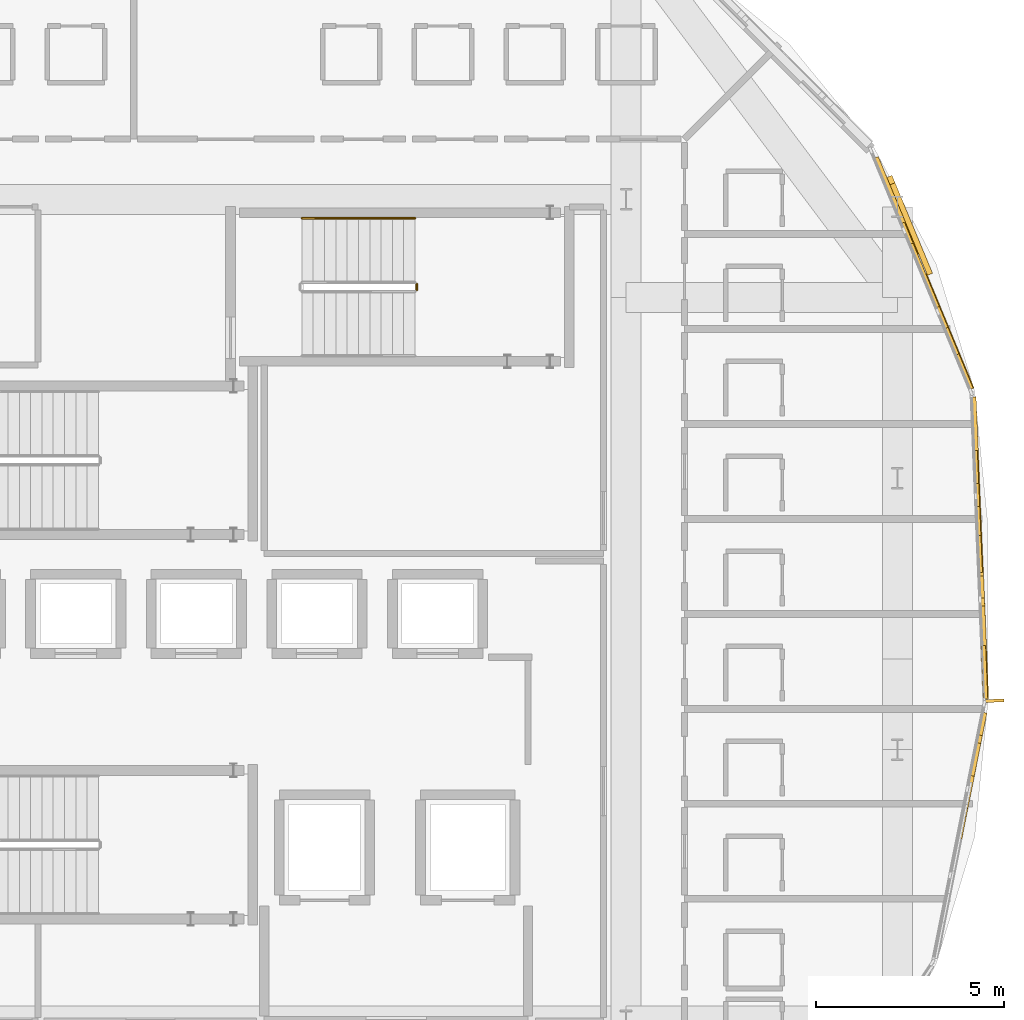
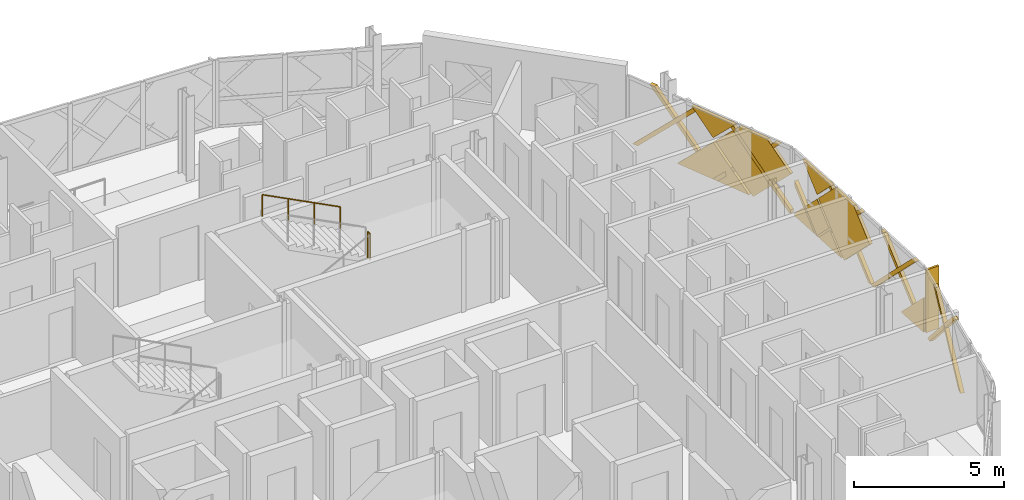
# One storey, part 44 of 53: 18 coverings, 2 railings, 1 shading device.
"""IFC4 building model written with IfcOpenShell, lengths in metres."""

from ifc_helpers import new_model, si_unit, direction, frame, origin, origin_2d, place, context, subcontext, project, spatial, polyline, rectangle, circle, outline, extrude, material, layer, layer_set, type_object, element, save


model = new_model("IFC4")

# Units and contexts
model_context = context("Model", 3, precision=1e-05, world=origin(), true_north=direction((0.0, 1.0)))
body_context = subcontext(model_context, "Body", "Model", "MODEL_VIEW")
ifc_project = project(units=[si_unit("LENGTHUNIT", "METRE"), si_unit("AREAUNIT", "SQUARE_METRE"), si_unit("VOLUMEUNIT", "CUBIC_METRE"), si_unit("PLANEANGLEUNIT", "RADIAN"), si_unit("MASSUNIT", "GRAM", prefix="KILO")], contexts=[model_context])

# Site, building, storey
site_placement = place(None, origin())
site = spatial("IfcSite", under=ifc_project, at=site_placement, CompositionType="ELEMENT")
building_placement = place(site_placement, origin())
building = spatial("IfcBuilding", under=site, at=building_placement, Name="Zevrakil Square Congress Hotel", CompositionType="ELEMENT")
storey_placement = place(building_placement, frame((0.0, 0.0, 14.699951171875)))
storey = spatial("IfcBuildingStorey", under=building, at=storey_placement, Name="L04", CompositionType="ELEMENT", Elevation=14.699951171875)

# Coverings
ifc_material_1 = material(Name="Architectural White Fibre-C GRC", Category="concrete")
ifc_layer_1 = layer(ifc_material_1, 0.06494140625)
ifc_layer_set_1 = layer_set([ifc_layer_1], Name="Architectural White Fibre-C GRC")
covering_type_1 = type_object("IfcCoveringType", Name="COV-DIA-WHITE", PredefinedType="CLADDING", material=ifc_layer_set_1)
covering_1_placement = place(storey_placement, frame((165.54150390625, 26.7578125, 0.080078125), z_axis=(0.999121801192, 0.041896980747, 0.000519024312), x_axis=(0.04189698639, -0.999121935767, 0.0)))
element("IfcCovering", 1, at=covering_1_placement, inside=storey, type_object=covering_type_1, Name="L04 45-degree white GRC diamond facade cassette 2220", PredefinedType="CLADDING", context=body_context, shape_type="SweptSolid", body=[
    extrude(outline(polyline([(0.0, 0.0), (1.4101737700243122, 0.0), (1.4101430837549838, -1.409912299280497), (0.0, 0.0)])), origin(), (0.0, 0.0, -1.0), 0.1201171875),
])
covering_2_placement = place(storey_placement, frame((165.322021484375, 31.962890625, 1.590087890625), z_axis=(0.999117075458, 0.042007962167, 0.000632963028), x_axis=(-0.029256783641, 0.706497656899, -0.707110388416)))
element("IfcCovering", 2, at=covering_2_placement, inside=storey, type_object=covering_type_1, Name="L04 45-degree white GRC diamond facade cassette 2221", PredefinedType="CLADDING", context=body_context, shape_type="SweptSolid", body=[
    extrude(outline(polyline([(0.0, 0.0), (1.980095890163375, -1.1102230246251565e-16), (2.057774214871329, -0.07769200494172157), (8.159088780801405e-05, -2.135406291599973), (0.0, 0.0)])), origin(), (0.0, 0.0, -1.0), 0.1201171875),
])
covering_3_placement = place(storey_placement, frame((165.32568359375, 31.873046875, 1.679931640625), z_axis=(0.999120945919, 0.041916904976, 0.000555430414), x_axis=(0.030034135887, -0.706517157765, -0.707058311928)))
element("IfcCovering", 3, at=covering_3_placement, inside=storey, type_object=covering_type_1, Name="L04 45-degree white GRC diamond facade cassette 2222", PredefinedType="CLADDING", context=body_context, shape_type="SweptSolid", body=[
    extrude(outline(polyline([(0.0, 0.0), (2.2485327950407155, -2.220446049250313e-16), (2.2487824534527543, -2.2484748865761763), (0.8484401908031873, -2.2486314357989743), (-0.0001664483019272467, -1.4001408532788702), (0.0, 0.0)])), origin(), (0.0, 0.0, -1.0), 0.1201171875),
])
covering_4_placement = place(storey_placement, frame((165.32177734375, 31.962890625, 1.77001953125), z_axis=(0.999121292185, 0.0419069471, 0.000671779158), x_axis=(0.029154552715, -0.706422484544, 0.707189709616)))
element("IfcCovering", 4, at=covering_4_placement, inside=storey, type_object=covering_type_1, Name="L04 45-degree white GRC diamond facade cassette 2223", PredefinedType="CLADDING", context=body_context, shape_type="SweptSolid", body=[
    extrude(outline(polyline([(0.0, 0.0), (1.272850088364791, 1.1102230246251565e-16), (9.051794818881742e-05, -1.2730587322865334), (0.0, 0.0)])), origin(), (0.0, 0.0, -1.0), 0.1201171875),
])
covering_5_placement = place(storey_placement, frame((163.966064453125, 36.597900390625, 1.590087890625), z_axis=(0.923868790517, 0.382708685186, 0.00072124374), x_axis=(-0.270148633985, 0.65347845614, -0.70709661498)))
element("IfcCovering", 5, at=covering_5_placement, inside=storey, type_object=covering_type_1, Name="L04 45-degree white GRC diamond facade cassette 2229", PredefinedType="CLADDING", context=body_context, shape_type="SweptSolid", body=[
    extrude(outline(polyline([(0.0, 0.0), (2.1355069924456442, 0.0), (4.912377958765646e-05, -2.1353975770230837), (0.0, 0.0)])), origin(), (0.0, 0.0, -1.0), 0.1201171875),
])
covering_6_placement = place(storey_placement, frame((164.00048828125, 36.514892578125, 1.679931640625), z_axis=(0.923876135694, 0.382691116395, 0.000628751203), x_axis=(0.271020758992, -0.653124719391, -0.707089703727)))
element("IfcCovering", 6, at=covering_6_placement, inside=storey, type_object=covering_type_1, Name="L04 45-degree white GRC diamond facade cassette 2230", PredefinedType="CLADDING", context=body_context, shape_type="SweptSolid", body=[
    extrude(outline(polyline([(0.0, 0.0), (2.248432898497787, 0.0), (2.2485033870584017, -2.2345853308132004), (2.2345204119602924, -2.2485689758021716), (0.8345284485317663, -2.2486684322568964), (-3.6317744080971437e-06, -1.4141763461700438), (0.0, 0.0)])), origin(), (0.0, 0.0, -1.0), 0.1201171875),
])
covering_7_placement = place(storey_placement, frame((163.966064453125, 36.597900390625, 1.77001953125), z_axis=(0.923864564459, 0.382718978133, 0.000671054709), x_axis=(0.270176914849, -0.653433493498, 0.707127360705)))
element("IfcCovering", 7, at=covering_7_placement, inside=storey, type_object=covering_type_1, Name="L04 45-degree white GRC diamond facade cassette 2231", PredefinedType="CLADDING", context=body_context, shape_type="SweptSolid", body=[
    extrude(outline(polyline([(0.0, 0.0), (1.286772595629827, -1.1102230246251565e-16), (-9.537502120360308e-05, -1.2869434590675226), (0.0, 0.0)])), origin(), (0.0, 0.0, -1.0), 0.1201171875),
])
ifc_material_2 = material(Name="Anodised Champagne Aluminium", Category="aluminium")
ifc_layer_2 = layer(ifc_material_2, 0.0849609375)
ifc_layer_set_2 = layer_set([ifc_layer_2], Name="Anodised Champagne Aluminium")
covering_type_2 = type_object("IfcCoveringType", Name="COV-DIAGRID-45", PredefinedType="MOLDING", material=ifc_layer_set_2)
covering_8_placement = place(storey_placement, frame((164.95263671875, 21.828369140625, 0.080078125), z_axis=(0.980779218513, -0.195119809317, 0.000620116726), x_axis=(-0.19511984662, -0.980779407132, -3.50103e-07)))
element("IfcCovering", 8, at=covering_8_placement, inside=storey, type_object=covering_type_2, Name="L04 45-degree aluminium diagrid rib 2217", PredefinedType="MOLDING", context=body_context, shape_type="SweptSolid", body=[
    extrude(outline(polyline([(0.0, 0.0), (0.21206037816297216, 0.0), (-2.377911904169482, -2.5900875561145695), (-2.5900199190137583, -2.5900874076121214), (0.0, 0.0)])), origin(), (0.0, 0.0, -1.0), 0.14501953125),
])
covering_9_placement = place(storey_placement, frame((165.02880859375, 22.218994140625, 2.670166015625), z_axis=(0.980801096102, -0.195009719401, 0.000647474708), x_axis=(0.195009760556, 0.980801301634, -4.3814e-07)))
element("IfcCovering", 9, at=covering_9_placement, inside=storey, type_object=covering_type_2, Name="L04 45-degree aluminium diagrid rib 2219", PredefinedType="MOLDING", context=body_context, shape_type="SweptSolid", body=[
    extrude(outline(polyline([(0.0, 0.0), (0.21210800007007177, -3.3881317890172014e-21), (2.802173098602531, -2.5900872057928686), (2.5898732548945005, -2.590087391743115), (0.0, 0.0)])), origin(), (0.0, 0.0, -1.0), 0.14501953125),
])
covering_10_placement = place(storey_placement, frame((165.6220703125, 25.435791015625, 0.080078125), z_axis=(0.999119338478, 0.041954949779, 0.000574166763), x_axis=(0.041954955965, -0.999119503197, 1.272068e-06)))
element("IfcCovering", 10, at=covering_10_placement, inside=storey, type_object=covering_type_2, Name="L04 45-degree aluminium diagrid rib 2224", PredefinedType="MOLDING", context=body_context, shape_type="SweptSolid", body=[
    extrude(outline(polyline([(0.0, 0.0), (0.0860052330343769, 8.470329472543003e-22), (0.08600539328512766, -0.12597654173470893), (-2.377888109610608, -2.590091381586844), (-2.590238495755331, -2.590091723000245), (0.0, 0.0)])), origin(), (0.0, 0.0, -1.0), 0.14501953125),
])
covering_11_placement = place(storey_placement, frame((165.48095703125, 28.79296875, 0.080078125), z_axis=(0.999116891197, 0.042013555909, 0.000546667669), x_axis=(0.042013562358, -0.99911704048, -3.14337e-07)))
element("IfcCovering", 11, at=covering_11_placement, inside=storey, type_object=covering_type_2, Name="L04 45-degree aluminium diagrid rib 2225", PredefinedType="MOLDING", context=body_context, shape_type="SweptSolid", body=[
    extrude(outline(polyline([(0.0, 0.0), (0.2121064680039185, 0.0), (-2.377892305687272, -2.590087530183107), (-2.589988516473818, -2.5900873968403877), (0.0, 0.0)])), origin(), (0.0, 0.0, -1.0), 0.14501953125),
])
covering_12_placement = place(storey_placement, frame((165.340087890625, 32.14990234375, 0.080078125), z_axis=(0.999139459015, 0.041460459025, 0.001171228272), x_axis=(0.041460487433, -0.999140144315, 2.5154e-08)))
element("IfcCovering", 12, at=covering_12_placement, inside=storey, type_object=covering_type_2, Name="L04 45-degree aluminium diagrid rib 2226", PredefinedType="MOLDING", context=body_context, shape_type="SweptSolid", body=[
    extrude(outline(polyline([(0.0, 0.0), (0.21209624580395897, 0.0), (-1.2140037045542345, -1.4260263992568591), (-1.2139935877016033, -1.2138680559498531), (0.0, 0.0)])), origin(), (0.0, 0.0, -1.0), 0.14501953125),
])
covering_13_placement = place(storey_placement, frame((165.603759765625, 25.83349609375, 2.670166015625), z_axis=(0.999141032982, 0.041439029018, 5.5552369e-05), x_axis=(-0.041439029082, 0.999141034524, 0.0)))
element("IfcCovering", 13, at=covering_13_placement, inside=storey, type_object=covering_type_2, Name="L04 45-degree aluminium diagrid rib 2227", PredefinedType="MOLDING", context=body_context, shape_type="SweptSolid", body=[
    extrude(outline(polyline([(0.0, 0.0), (0.2120962458528741, 1.0587911840678754e-22), (2.8019613724841843, -2.59008789462159), (2.58986512663131, -2.59008789462159), (0.0, 0.0)])), origin(), (0.0, 0.0, -1.0), 0.14501953125),
])
covering_14_placement = place(storey_placement, frame((165.462890625, 29.1904296875, 2.670166015625), z_axis=(0.999091986474, 0.042588022465, 0.001209506652), x_axis=(-0.042588053616, 0.999092717264, 0.0)))
element("IfcCovering", 14, at=covering_14_placement, inside=storey, type_object=covering_type_2, Name="L04 45-degree aluminium diagrid rib 2228", PredefinedType="MOLDING", context=body_context, shape_type="SweptSolid", body=[
    extrude(outline(polyline([(0.0, 0.0), (0.212106503068509, 1.6940658945086007e-21), (2.802213670678807, -2.590089785155077), (2.5901071676102974, -2.590089785155077), (0.0, 0.0)])), origin(), (0.0, 0.0, -1.0), 0.14501953125),
])
covering_15_placement = place(storey_placement, frame((165.20458984375, 33.675537109375, 0.080078125), z_axis=(0.923853683874, 0.382745437897, 0.000548234694), x_axis=(0.382745495675, -0.923853822604, -5.10935e-07)))
element("IfcCovering", 15, at=covering_15_placement, inside=storey, type_object=covering_type_2, Name="L04 45-degree aluminium diagrid rib 2232", PredefinedType="MOLDING", context=body_context, shape_type="SweptSolid", body=[
    extrude(outline(polyline([(0.0, 0.0), (0.08591873395079654, 6.776263578034403e-21), (0.08591866958490008, -0.12597654356814375), (-2.38794280704179, -2.599852681834402), (-2.600082974062104, -2.599852489768563), (0.0, 0.0)])), origin(), (0.0, 0.0, -1.0), 0.14501953125),
])
covering_16_placement = place(storey_placement, frame((163.918701171875, 36.77978515625, 0.080078125), z_axis=(-0.923637791053, -0.383266522643, 5.9660502e-05), x_axis=(0.383266523326, -0.923637792697, 1.3166e-08)))
element("IfcCovering", 16, at=covering_16_placement, inside=storey, type_object=covering_type_2, Name="L04 45-degree aluminium diagrid rib 2233", PredefinedType="MOLDING", context=body_context, shape_type="SweptSolid", body=[
    extrude(outline(polyline([(0.0, 0.0), (0.2120081206079828, 0.0), (-2.3878482930775613, 2.5998535516897237), (-2.6000819111935267, 2.5998535572751806), (0.0, 0.0)])), origin(), (0.0, 0.0, -1.0), 0.14501953125),
])
for number, where, z_axis, x_axis, name in (
    (17, (165.0546875, 34.033447265625, 2.679931640625), (0.923841195166, 0.382775323854, 0.000705381348), (-0.382775418938, 0.92384142506, -2.19848e-07), "L04 45-degree aluminium diagrid rib 2234"),
    (18, (163.768798828125, 37.1376953125, 2.679931640625), (0.923841195166, 0.382775323854, 0.000705381348), (-0.382775418938, 0.92384142506, -2.19848e-07), "L04 45-degree aluminium diagrid rib 2235"),
):
    element("IfcCovering", number, at=place(storey_placement, frame(where, z_axis=z_axis, x_axis=x_axis)), inside=storey, type_object=covering_type_2, Name=name, PredefinedType="MOLDING", context=body_context, shape_type="SweptSolid", body=[
        extrude(outline(polyline([(0.0, 0.0), (0.21191461474255177, 0.0), (2.812096646403438, -2.59985354418553), (2.599863033407957, -2.599853637433852), (0.0, 0.0)])), origin(), (0.0, 0.0, -1.0), 0.14501953125),
    ])

# Railings
ifc_material_3 = material(Name="Steel S355", Category="steel")
railing_type_1 = type_object("IfcRailingType", Name="RLG-STAIR-GUARD-1100", PredefinedType="BALUSTRADE", material=ifc_material_3)
railing_1_placement = place(storey_placement, frame((150.449951171875, 36.199951171875, 1.699951171875)))
element("IfcRailing", 19, at=railing_1_placement, inside=storey, type_object=railing_type_1, Name="L04 ST03 stair guard 2", PredefinedType="BALUSTRADE", context=body_context, shape_type="SweptSolid", body=[
    extrude(circle(Radius=0.02392578125, at=origin_2d()), frame((0.0, 0.0, 1.076171875), z_axis=(0.0, 1.0, 0.0), x_axis=(-1.0, 0.0, 0.0)), (0.0, 0.0, 1.0), 0.150146484375),
    extrude(circle(Radius=0.02099609375, at=origin_2d()), origin(), (0.0, 0.0, 1.0), 1.052001953125),
    extrude(circle(Radius=0.02099609375, at=origin_2d()), frame((0.0, 0.150146484375, 0.0)), (0.0, 0.0, 1.0), 1.052001953125),
])
ifc_material_4 = material(Name="Steel S355", Category="steel")
railing_type_2 = type_object("IfcRailingType", Name="RLG-STAIR-HAND-900", PredefinedType="HANDRAIL", material=ifc_material_4)
railing_2_placement = place(storey_placement, frame((150.39990234375, 38.10009765625, 1.8544921875)))
element("IfcRailing", 20, at=railing_2_placement, inside=storey, type_object=railing_type_2, Name="L04 ST03 stair handrail 2", PredefinedType="HANDRAIL", context=body_context, shape_type="SweptSolid", body=[
    extrude(circle(Radius=0.02392578125, at=origin_2d()), frame((0.0, 0.0, 0.8759765625), z_axis=(-0.888950458371, 0.0, 0.45800336523), x_axis=(0.0, -1.0, 0.0)), (0.0, 0.0, 1.0), 3.374755859375),
    extrude(circle(Radius=0.02099609375, at=origin_2d()), origin(), (0.0, 0.0, 1.0), 0.851806640625),
    extrude(circle(Radius=0.02099609375, at=origin_2d()), frame((-1.0, 0.0, 0.51513671875)), (0.0, 0.0, 1.0), 0.851806640625),
    extrude(circle(Radius=0.02099609375, at=origin_2d()), frame((-2.0, 0.0, 1.030517578125)), (0.0, 0.0, 1.0), 0.851806640625),
    extrude(circle(Radius=0.02099609375, at=origin_2d()), frame((-3.0, 0.0, 1.545654296875)), (0.0, 0.0, 1.0), 0.851806640625),
])

# Shading device
ifc_material_5 = material(Name="Aluminium Anodised Bronze", Category="aluminium")
shading_device_type = type_object("IfcShadingDeviceType", Name="SHD-FIN-50", PredefinedType="JALOUSIE", material=ifc_material_5)
shading_device_placement = place(storey_placement, frame((165.778076171875, 25.29638671875, 0.10009765625), z_axis=(0.0, 0.0, 1.0), x_axis=(0.999119171954, 0.041962843485, 0.0)))
element("IfcShadingDevice", 21, at=shading_device_placement, inside=storey, type_object=shading_device_type, Name="L04 aluminium solar shading fin 122", PredefinedType="JALOUSIE", context=body_context, shape_type="SweptSolid", body=[
    extrude(rectangle(XDim=0.5, YDim=0.080078125, at=origin_2d()), origin(), (0.0, 0.0, 1.0), 2.550048828125),
])

save(model, "model.ifc")
